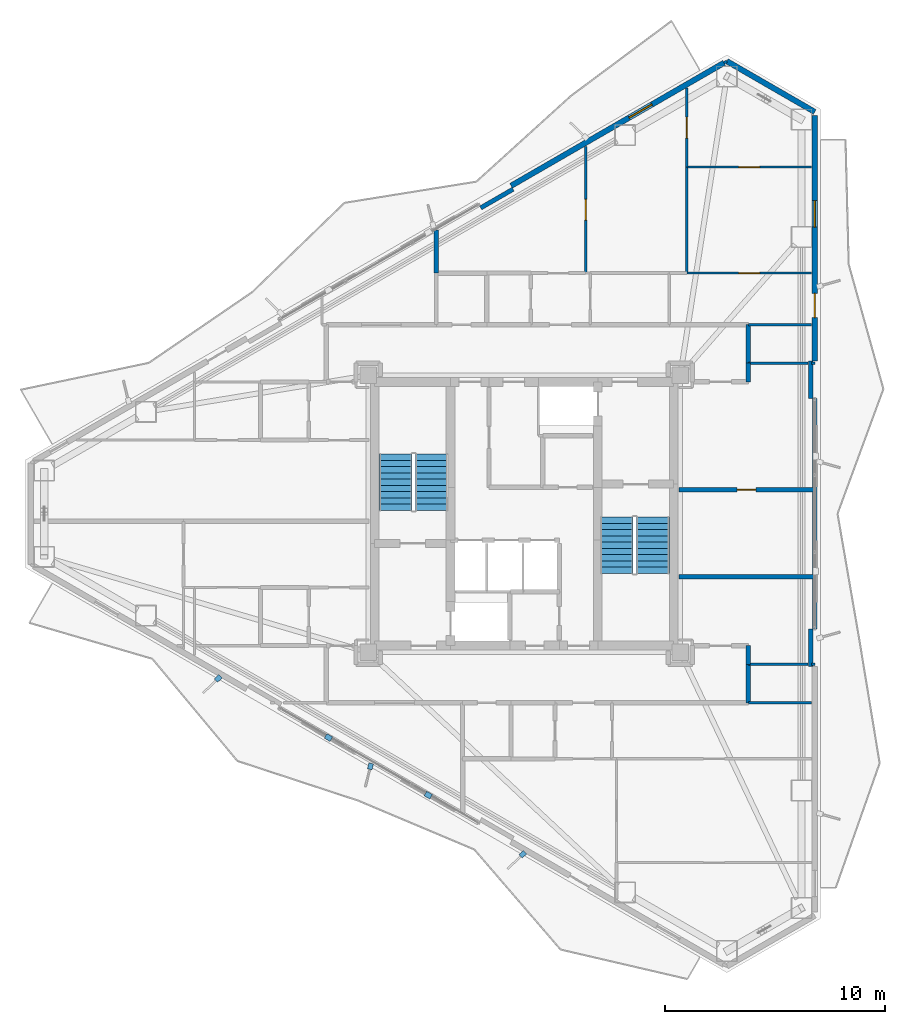
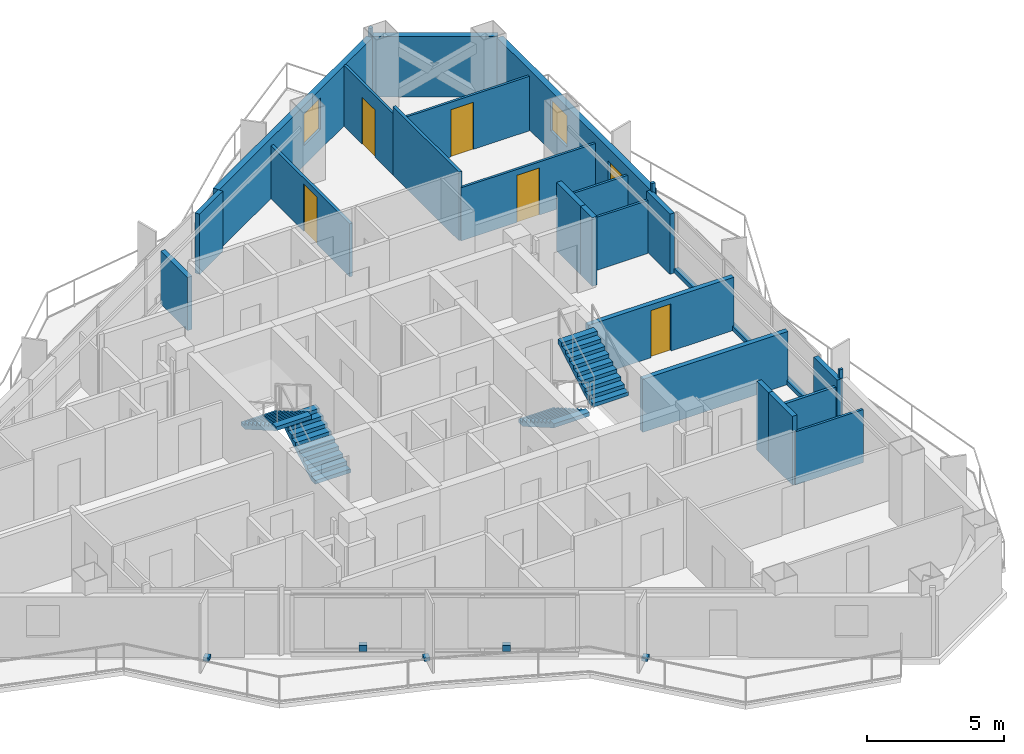
# One storey, part 16 of 19: 26 walls, 6 doors, 5 discrete accessories, 4 stair flights, 2 windows, 8 openings, 2 elements without a shape of their own.
"""IFC4 building model written with IfcOpenShell, lengths in metres."""

from ifc_helpers import new_model, si_unit, direction, frame, frame_2d, origin, origin_2d, place, context, subcontext, project, spatial, polyline, rectangle, outline, extrude, material, layer, layer_set, type_object, element, fill, aggregate, save


model = new_model("IFC4")

# Units and contexts
model_context = context("Model", 3, precision=1e-05, world=origin(), true_north=direction((0.0, 1.0)))
body_context = subcontext(model_context, "Body", "Model", "MODEL_VIEW")
ifc_project = project(units=[si_unit("LENGTHUNIT", "METRE"), si_unit("AREAUNIT", "SQUARE_METRE"), si_unit("VOLUMEUNIT", "CUBIC_METRE"), si_unit("PLANEANGLEUNIT", "RADIAN"), si_unit("MASSUNIT", "GRAM", prefix="KILO")], contexts=[model_context])

# Site, building, storey
site_placement = place(None, origin())
site = spatial("IfcSite", under=ifc_project, at=site_placement, CompositionType="ELEMENT")
building_placement = place(site_placement, origin())
building = spatial("IfcBuilding", under=site, at=building_placement, Name="Mersakhor Tower and Convention Hall", CompositionType="ELEMENT")
storey_placement = place(building_placement, frame((0.0, 0.0, 124.5)))
storey = spatial("IfcBuildingStorey", under=building, at=storey_placement, Name="L34", CompositionType="ELEMENT", Elevation=124.5)

# Wall
ifc_material_1 = material(Name="Precast concrete C40/50", Category="concrete")
ifc_layer_1 = layer(ifc_material_1, 0.25)
ifc_layer_set_1 = layer_set([ifc_layer_1], Name="Precast concrete C40/50")
wall_type_1 = type_object("IfcWallType", Name="WL-EXT-250", PredefinedType="SOLIDWALL", material=ifc_layer_set_1)
wall_1_placement = place(storey_placement, frame((38.220458984375, 47.337646484375, 0.0), z_axis=(0.0, 0.0, 1.0), x_axis=(0.866035021055, -0.499983342029, 0.0)))
element("IfcWall", 1, at=wall_1_placement, inside=storey, type_object=wall_type_1, Name="L34 Chamfer Braced Spandrel Wall C1", PredefinedType="SOLIDWALL", context=body_context, shape_type="SweptSolid", body=[
    extrude(rectangle(XDim=4.617431640625, YDim=0.25, at=frame_2d((2.30859375, 0.0))), origin(), (0.0, 0.0, 1.0), 2.679931640625),
])

# Wall, opening, window
wall_2_placement = place(storey_placement, frame((28.4033203125, 41.669677734375, 0.0), z_axis=(0.0, 0.0, 1.0), x_axis=(0.86602239209, 0.500005216371, 0.0)))
wall_2 = element("IfcWall", 2, at=wall_2_placement, inside=storey, type_object=wall_type_1, Name="L34 Exterior Facade Wall F1-B3", PredefinedType="SOLIDWALL", context=body_context, shape_type="SweptSolid", body=[
    extrude(rectangle(XDim=11.18603515625, YDim=0.25, at=frame_2d((5.593017578125, 0.0))), origin(), (0.0, 0.0, 1.0), 2.679931640625),
])
opening_1_placement = place(wall_2_placement, frame((6.198974609375, 0.0, 0.89990234375)))
opening_1 = element("IfcOpeningElement", 3, at=opening_1_placement, cuts=wall_2, Name="Opening W-01", PredefinedType="OPENING", context=body_context, shape_type="SweptSolid", body=[
    extrude(rectangle(XDim=1.199951171875, YDim=1.39990234375, at=frame_2d((0.60009765625, 0.699951171875))), frame((0.0, 0.135009765625, 0.0), z_axis=(0.0, -1.0, 0.0), x_axis=(1.0, 0.0, 0.0)), (0.0, 0.0, 1.0), 0.27001953125),
])
ifc_material_2 = material(Name="Dark solar low-E glazed aluminium window", Category="aluminium")
window_type = type_object("IfcWindowType", Name="WN-RES-120x150", PartitioningType="SINGLE_PANEL", PredefinedType="WINDOW", material=ifc_material_2)
window_1_placement = place(opening_1_placement, origin())
window_1 = element("IfcWindow", 4, at=window_1_placement, inside=storey, type_object=window_type, Name="L34 Bedroom Facade Window F1-B3-1", OverallHeight=1.39990234375, OverallWidth=1.199951171875, PartitioningType="SINGLE_PANEL", PredefinedType="WINDOW", context=body_context, shape_type="SweptSolid", body=[
    extrude(rectangle(XDim=1.199951171875, YDim=1.39990234375, at=frame_2d((0.60009765625, 0.699951171875))), frame((0.0, 0.030029296875, 0.0), z_axis=(0.0, -1.0, 0.0), x_axis=(1.0, 0.0, 0.0)), (0.0, 0.0, 1.0), 0.06005859375),
])
fill(opening_1, window_1)

# Wall, openings, door, window
wall_3_placement = place(storey_placement, frame((42.21923828125, 44.87890625, 0.0), z_axis=(0.0, 0.0, 1.0), x_axis=(0.0, -1.0, 0.0)))
wall_3 = element("IfcWall", 5, at=wall_3_placement, inside=storey, type_object=wall_type_1, Name="L34 Exterior Facade Wall F2-B1", PredefinedType="SOLIDWALL", context=body_context, shape_type="SweptSolid", body=[
    extrude(rectangle(XDim=11.185791015625, YDim=0.25, at=frame_2d((5.5927734375, 0.0))), origin(), (0.0, 0.0, 1.0), 2.679931640625),
])
opening_2_placement = place(wall_3_placement, frame((8.10888671875, 0.0, 0.0)))
opening_2 = element("IfcOpeningElement", 6, at=opening_2_placement, cuts=wall_3, Name="Opening BD-02", PredefinedType="OPENING", context=body_context, shape_type="SweptSolid", body=[
    extrude(rectangle(XDim=1.10009765625, YDim=2.10009765625, at=frame_2d((0.550048828125, 1.050048828125))), frame((0.0, 0.135009765625, 0.0), z_axis=(0.0, -1.0, 0.0), x_axis=(1.0, 0.0, 0.0)), (0.0, 0.0, 1.0), 0.27001953125),
])
opening_3_placement = place(wall_3_placement, frame((3.886962890625, 0.0, 0.89990234375)))
opening_3 = element("IfcOpeningElement", 7, at=opening_3_placement, cuts=wall_3, Name="Opening W-01", PredefinedType="OPENING", context=body_context, shape_type="SweptSolid", body=[
    extrude(rectangle(XDim=1.199951171875, YDim=1.39990234375, at=frame_2d((0.60009765625, 0.699951171875))), frame((0.0, 0.135009765625, 0.0), z_axis=(0.0, -1.0, 0.0), x_axis=(1.0, 0.0, 0.0)), (0.0, 0.0, 1.0), 0.27001953125),
])
ifc_material_3 = material(Name="Thermally broken dark aluminium and safety glass", Category="aluminium")
door_type_1 = type_object("IfcDoorType", Name="DR-BAL-110x210", OperationType="NOTDEFINED", PredefinedType="DOOR", material=ifc_material_3)
door_1_placement = place(opening_2_placement, origin())
door_1 = element("IfcDoor", 8, at=door_1_placement, inside=storey, type_object=door_type_1, Name="L34 Balcony Terrace Door F2-B1", OperationType="SINGLE_SWING_RIGHT", OverallHeight=2.10009765625, OverallWidth=1.10009765625, PredefinedType="DOOR", context=body_context, shape_type="SweptSolid", body=[
    extrude(rectangle(XDim=1.10009765625, YDim=2.10009765625, at=frame_2d((0.550048828125, 1.050048828125))), frame((0.0, 0.02490234375, 0.0), z_axis=(0.0, -1.0, 0.0), x_axis=(1.0, 0.0, 0.0)), (0.0, 0.0, 1.0), 0.050048828125),
])
fill(opening_2, door_1)
window_2_placement = place(opening_3_placement, origin())
window_2 = element("IfcWindow", 9, at=window_2_placement, inside=storey, type_object=window_type, Name="L34 Bedroom Facade Window F2-B1-1", OverallHeight=1.39990234375, OverallWidth=1.199951171875, PartitioningType="SINGLE_PANEL", PredefinedType="WINDOW", context=body_context, shape_type="SweptSolid", body=[
    extrude(rectangle(XDim=1.199951171875, YDim=1.39990234375, at=frame_2d((0.60009765625, 0.699951171875))), frame((0.0, 0.030029296875, 0.0), z_axis=(0.0, -1.0, 0.0), x_axis=(1.0, 0.0, 0.0)), (0.0, 0.0, 1.0), 0.06005859375),
])
fill(opening_3, window_2)

# Walls
ifc_material_4 = material(Name="Precast concrete C40/50", Category="concrete")
ifc_layer_2 = layer(ifc_material_4, 0.199951171875)
ifc_layer_set_2 = layer_set([ifc_layer_2], Name="Precast concrete C40/50")
wall_type_2 = type_object("IfcWallType", Name="WL-PAR-200", PredefinedType="PARAPET", material=ifc_layer_set_2)
wall_4_placement = place(storey_placement, frame((27.02099609375, 40.663818359375, 0.0), z_axis=(0.0, 0.0, 1.0), x_axis=(0.86605165483, 0.499954529098, 0.0)))
element("IfcWall", 10, at=wall_4_placement, inside=storey, type_object=wall_type_2, Name="L34 Column Pier Cladding Wall F1-C2", PredefinedType="PARAPET", context=body_context, shape_type="SweptSolid", body=[
    extrude(rectangle(XDim=1.699951171875, YDim=0.199951171875, at=frame_2d((0.85009765625, 0.0))), origin(), (0.0, 0.0, 1.0), 2.679931640625),
])
wall_5_placement = place(storey_placement, frame((42.21923828125, 31.992919921875, 0.0), z_axis=(0.0, 0.0, 1.0), x_axis=(0.0, -1.0, 0.0)))
element("IfcWall", 11, at=wall_5_placement, inside=storey, type_object=wall_type_2, Name="L34 Curtain Wall Upstand Sill F2-B2", PredefinedType="PARAPET", context=body_context, shape_type="SweptSolid", body=[
    extrude(rectangle(XDim=10.48583984375, YDim=0.199951171875, at=frame_2d((5.242919921875, 0.0))), origin(), (0.0, 0.0, 1.0), 0.199951171875),
])
for number, where, z_axis, x_axis, name in (
    (12, (42.039306640625, 33.693115234375, 0.0), (0.0, 0.0, 1.0), (0.0, -1.0, 0.0), "L34 Column Pier Cladding Wall F2-C1"),
    (13, (42.039306640625, 21.507080078125, 0.0), (0.0, 0.0, 1.0), (0.0, -1.0, 0.0), "L34 Column Pier Cladding Wall F2-C2"),
):
    element("IfcWall", number, at=place(storey_placement, frame(where, z_axis=z_axis, x_axis=x_axis)), inside=storey, type_object=wall_type_2, Name=name, PredefinedType="PARAPET", context=body_context, shape_type="SweptSolid", body=[
        extrude(rectangle(XDim=1.7001953125, YDim=0.199951171875, at=frame_2d((0.85009765625, 0.0))), origin(), (0.0, 0.0, 1.0), 2.679931640625),
    ])
ifc_material_5 = material(Name="Lightweight gypsum partition", Category="other")
ifc_layer_3 = layer(ifc_material_5, 0.10009765625)
ifc_layer_set_3 = layer_set([ifc_layer_3], Name="Lightweight gypsum partition")
wall_type_3 = type_object("IfcWallType", Name="WL-PRT-100", PredefinedType="PARTITIONING", material=ifc_layer_set_3)
wall_6_placement = place(storey_placement, frame((39.199951171875, 18.14990234375, 0.0), z_axis=(0.0, 0.0, 1.0), x_axis=(1.0, 0.0, 0.0)))
element("IfcWall", 14, at=wall_6_placement, inside=storey, type_object=wall_type_3, Name="L34 Interior Partition Wall P-076", PredefinedType="PARTITIONING", context=body_context, shape_type="SweptSolid", body=[
    extrude(rectangle(XDim=2.870361328125, YDim=0.10009765625, at=frame_2d((1.43505859375, 0.0))), origin(), (0.0, 0.0, 1.0), 2.364990234375),
])
wall_7_placement = place(storey_placement, frame((39.199951171875, 33.60009765625, 0.0), z_axis=(0.0, 0.0, 1.0), x_axis=(1.0, 0.0, 0.0)))
element("IfcWall", 15, at=wall_7_placement, inside=storey, type_object=wall_type_3, Name="L34 Interior Partition Wall P-100", PredefinedType="PARTITIONING", context=body_context, shape_type="SweptSolid", body=[
    extrude(rectangle(XDim=2.71533203125, YDim=0.10009765625, at=frame_2d((1.357666015625, 0.0))), origin(), (0.0, 0.0, 1.0), 2.364990234375),
])
wall_8_placement = place(storey_placement, frame((42.218994140625, 19.89990234375, 0.0), z_axis=(0.0, 0.0, 1.0), x_axis=(-1.0, 0.0, 0.0)))
element("IfcWall", 16, at=wall_8_placement, inside=storey, type_object=wall_type_3, Name="L34 Interior Partition Wall P-106", PredefinedType="PARTITIONING", context=body_context, shape_type="SweptSolid", body=[
    extrude(rectangle(XDim=0.144775390625, YDim=0.10009765625, at=frame_2d((0.072265625, 0.0))), origin(), (0.0, 0.0, 1.0), 3.06005859375),
])
wall_9_placement = place(storey_placement, frame((42.0703125, 35.35009765625, 0.0), z_axis=(0.0, 0.0, 1.0), x_axis=(-1.0, 0.0, 0.0)))
element("IfcWall", 17, at=wall_9_placement, inside=storey, type_object=wall_type_3, Name="L34 Interior Partition Wall P-108", PredefinedType="PARTITIONING", context=body_context, shape_type="SweptSolid", body=[
    extrude(rectangle(XDim=2.870361328125, YDim=0.10009765625, at=frame_2d((1.43505859375, 0.0))), origin(), (0.0, 0.0, 1.0), 2.364990234375),
])

# Wall, opening, door
wall_10_placement = place(storey_placement, frame((36.39990234375, 37.699951171875, 0.0), z_axis=(0.0, 0.0, 1.0), x_axis=(1.0, 0.0, 0.0)))
wall_10 = element("IfcWall", 18, at=wall_10_placement, inside=storey, type_object=wall_type_3, Name="L34 Interior Partition Wall P-110", PredefinedType="PARTITIONING", context=body_context, shape_type="SweptSolid", body=[
    extrude(rectangle(XDim=5.67041015625, YDim=0.10009765625, at=frame_2d((2.835205078125, 0.0))), origin(), (0.0, 0.0, 1.0), 2.364990234375),
])
opening_4_placement = place(wall_10_placement, frame((2.360107421875, 0.0, 0.0)))
opening_4 = element("IfcOpeningElement", 19, at=opening_4_placement, cuts=wall_10, Name="Opening RD-01", PredefinedType="OPENING", context=body_context, shape_type="SweptSolid", body=[
    extrude(rectangle(XDim=0.949951171875, YDim=2.10009765625, at=frame_2d((0.47509765625, 1.050048828125))), frame((0.0, 0.06005859375, 0.0), z_axis=(0.0, -1.0, 0.0), x_axis=(1.0, 0.0, 0.0)), (0.0, 0.0, 1.0), 0.1201171875),
])
ifc_material_6 = material(Name="Solid-core hardwood leaf in painted steel frame", Category="steel")
door_type_2 = type_object("IfcDoorType", Name="DR-INT-RM-095x210", OperationType="NOTDEFINED", PredefinedType="DOOR", material=ifc_material_6)
door_2_placement = place(opening_4_placement, origin())
door_2 = element("IfcDoor", 20, at=door_2_placement, inside=storey, type_object=door_type_2, Name="L34 L34 Flat N1 Study Room to L34 Flat N1 Bedroom 2 Door", OperationType="SINGLE_SWING_LEFT", OverallHeight=2.10009765625, OverallWidth=0.949951171875, PredefinedType="DOOR", context=body_context, shape_type="SweptSolid", body=[
    extrude(rectangle(XDim=0.949951171875, YDim=2.10009765625, at=frame_2d((0.47509765625, 1.050048828125))), frame((0.0, 0.02490234375, 0.0), z_axis=(0.0, -1.0, 0.0), x_axis=(1.0, 0.0, 0.0)), (0.0, 0.0, 1.0), 0.050048828125),
])
fill(opening_4, door_2)

wall_11_placement = place(storey_placement, frame((36.39990234375, 46.114501953125, 0.0), z_axis=(0.0, 0.0, 1.0), x_axis=(0.0, -1.0, 0.0)))
wall_11 = element("IfcWall", 21, at=wall_11_placement, inside=storey, type_object=wall_type_3, Name="L34 Interior Partition Wall P-112", PredefinedType="PARTITIONING", context=body_context, shape_type="SweptSolid", body=[
    extrude(rectangle(XDim=3.594482421875, YDim=0.10009765625, at=frame_2d((1.79736328125, 0.0))), origin(), (0.0, 0.0, 1.0), 2.724609375),
])
opening_5_placement = place(wall_11_placement, frame((1.322265625, 0.0, 0.0)))
opening_5 = element("IfcOpeningElement", 22, at=opening_5_placement, cuts=wall_11, Name="Opening RD-01", PredefinedType="OPENING", context=body_context, shape_type="SweptSolid", body=[
    extrude(rectangle(XDim=0.949951171875, YDim=2.10009765625, at=frame_2d((0.47509765625, 1.050048828125))), frame((0.0, 0.06005859375, 0.0), z_axis=(0.0, -1.0, 0.0), x_axis=(1.0, 0.0, 0.0)), (0.0, 0.0, 1.0), 0.1201171875),
])
door_3_placement = place(opening_5_placement, origin())
door_3 = element("IfcDoor", 23, at=door_3_placement, inside=storey, type_object=door_type_2, Name="L34 L34 Flat N1 Bedroom 1 to L34 Flat N1 Study Room Door", OperationType="SINGLE_SWING_LEFT", OverallHeight=2.10009765625, OverallWidth=0.949951171875, PredefinedType="DOOR", context=body_context, shape_type="SweptSolid", body=[
    extrude(rectangle(XDim=0.949951171875, YDim=2.10009765625, at=frame_2d((0.47509765625, 1.050048828125))), frame((0.0, 0.02490234375, 0.0), z_axis=(0.0, -1.0, 0.0), x_axis=(1.0, 0.0, 0.0)), (0.0, 0.0, 1.0), 0.050048828125),
])
fill(opening_5, door_3)

wall_12_placement = place(storey_placement, frame((36.39990234375, 42.52001953125, 0.0), z_axis=(0.0, 0.0, 1.0), x_axis=(1.0, 0.0, 0.0)))
wall_12 = element("IfcWall", 24, at=wall_12_placement, inside=storey, type_object=wall_type_3, Name="L34 Interior Partition Wall P-114", PredefinedType="PARTITIONING", context=body_context, shape_type="SweptSolid", body=[
    extrude(rectangle(XDim=5.67041015625, YDim=0.10009765625, at=frame_2d((2.835205078125, 0.0))), origin(), (0.0, 0.0, 1.0), 2.432861328125),
])
opening_6_placement = place(wall_12_placement, frame((2.360107421875, 0.0, 0.0)))
opening_6 = element("IfcOpeningElement", 25, at=opening_6_placement, cuts=wall_12, Name="Opening RD-01", PredefinedType="OPENING", context=body_context, shape_type="SweptSolid", body=[
    extrude(rectangle(XDim=0.949951171875, YDim=2.10009765625, at=frame_2d((0.47509765625, 1.050048828125))), frame((0.0, 0.06005859375, 0.0), z_axis=(0.0, -1.0, 0.0), x_axis=(1.0, 0.0, 0.0)), (0.0, 0.0, 1.0), 0.1201171875),
])
door_4_placement = place(opening_6_placement, origin())
door_4 = element("IfcDoor", 26, at=door_4_placement, inside=storey, type_object=door_type_2, Name="L34 L34 Flat N1 Bedroom 2 to L34 Flat N1 Study Room Door", OperationType="SINGLE_SWING_RIGHT", OverallHeight=2.10009765625, OverallWidth=0.949951171875, PredefinedType="DOOR", context=body_context, shape_type="SweptSolid", body=[
    extrude(rectangle(XDim=0.949951171875, YDim=2.10009765625, at=frame_2d((0.47509765625, 1.050048828125))), frame((0.0, 0.02490234375, 0.0), z_axis=(0.0, -1.0, 0.0), x_axis=(1.0, 0.0, 0.0)), (0.0, 0.0, 1.0), 0.050048828125),
])
fill(opening_6, door_4)

# Walls
ifc_material_7 = material(Name="Gypsum board acoustic partition", Category="other")
ifc_layer_4 = layer(ifc_material_7, 0.125)
ifc_layer_set_4 = layer_set([ifc_layer_4], Name="Gypsum board acoustic partition")
wall_type_4 = type_object("IfcWallType", Name="WL-PRT-125", PredefinedType="PARTITIONING", material=ifc_layer_set_4)
wall_13_placement = place(storey_placement, frame((42.07421875, 33.60009765625, 0.0), z_axis=(0.0, 0.0, 1.0), x_axis=(1.0, 0.0, 0.0)))
element("IfcWall", 27, at=wall_13_placement, inside=storey, type_object=wall_type_4, Name="L34 Interior Partition Wall P-101", PredefinedType="PARTITIONING", context=body_context, shape_type="SweptSolid", body=[
    extrude(rectangle(XDim=0.144775390625, YDim=0.125, at=frame_2d((0.072265625, 0.0))), origin(), (0.0, 0.0, 1.0), 3.06005859375),
])
wall_14_placement = place(storey_placement, frame((41.915283203125, 19.89990234375, 0.0), z_axis=(0.0, 0.0, 1.0), x_axis=(-1.0, 0.0, 0.0)))
element("IfcWall", 28, at=wall_14_placement, inside=storey, type_object=wall_type_4, Name="L34 Interior Partition Wall P-107", PredefinedType="PARTITIONING", context=body_context, shape_type="SweptSolid", body=[
    extrude(rectangle(XDim=2.71533203125, YDim=0.125, at=frame_2d((1.357666015625, 0.0))), origin(), (0.0, 0.0, 1.0), 2.364990234375),
])

# Wall, opening, door
wall_15_placement = place(storey_placement, frame((31.800048828125, 43.458740234375, 0.0), z_axis=(0.0, 0.0, 1.0), x_axis=(0.0, -1.0, 0.0)))
wall_15 = element("IfcWall", 29, at=wall_15_placement, inside=storey, type_object=wall_type_4, Name="L34 Interior Partition Wall P-111", PredefinedType="PARTITIONING", context=body_context, shape_type="SweptSolid", body=[
    extrude(rectangle(XDim=5.7587890625, YDim=0.125, at=frame_2d((2.87939453125, 0.0))), origin(), (0.0, 0.0, 1.0), 2.364990234375),
])
opening_7_placement = place(wall_15_placement, frame((2.404296875, 0.0, 0.0)))
opening_7 = element("IfcOpeningElement", 30, at=opening_7_placement, cuts=wall_15, Name="Opening RD-01", PredefinedType="OPENING", context=body_context, shape_type="SweptSolid", body=[
    extrude(rectangle(XDim=0.949951171875, YDim=2.10009765625, at=frame_2d((0.47509765625, 1.050048828125))), frame((0.0, 0.072509765625, 0.0), z_axis=(0.0, -1.0, 0.0), x_axis=(1.0, 0.0, 0.0)), (0.0, 0.0, 1.0), 0.14501953125),
])
door_5_placement = place(opening_7_placement, origin())
door_5 = element("IfcDoor", 31, at=door_5_placement, inside=storey, type_object=door_type_2, Name="L34 L34 Flat N1 Living and Dining Room to L34 Flat N1 Bedroom 1 Door", OperationType="SINGLE_SWING_RIGHT", OverallHeight=2.10009765625, OverallWidth=0.949951171875, PredefinedType="DOOR", context=body_context, shape_type="SweptSolid", body=[
    extrude(rectangle(XDim=0.949951171875, YDim=2.10009765625, at=frame_2d((0.47509765625, 1.050048828125))), frame((0.0, 0.02490234375, 0.0), z_axis=(0.0, -1.0, 0.0), x_axis=(1.0, 0.0, 0.0)), (0.0, 0.0, 1.0), 0.050048828125),
])
fill(opening_7, door_5)

# Walls
wall_16_placement = place(storey_placement, frame((36.39990234375, 42.52001953125, 0.0), z_axis=(0.0, 0.0, 1.0), x_axis=(0.0, -1.0, 0.0)))
element("IfcWall", 32, at=wall_16_placement, inside=storey, type_object=wall_type_4, Name="L34 Interior Partition Wall P-113", PredefinedType="PARTITIONING", context=body_context, shape_type="SweptSolid", body=[
    extrude(rectangle(XDim=4.820068359375, YDim=0.125, at=frame_2d((2.41015625, 0.0))), origin(), (0.0, 0.0, 1.0), 3.06005859375),
])
wall_17_placement = place(storey_placement, frame((38.090576171875, 47.2626953125, 0.0), z_axis=(0.0, 0.0, 1.0), x_axis=(0.865833797362, 0.500331725305, 0.0)))
element("IfcWall", 33, at=wall_17_placement, inside=storey, type_object=wall_type_4, Name="L34 Interior Partition Wall P-115", PredefinedType="PARTITIONING", context=body_context, shape_type="SweptSolid", body=[
    extrude(rectangle(XDim=0.150390625, YDim=0.125, at=frame_2d((0.0751953125, 0.0))), origin(), (0.0, 0.0, 1.0), 3.06005859375),
])
ifc_material_8 = material(Name="Acoustic concrete blockwork and gypsum board", Category="masonry")
ifc_layer_5 = layer(ifc_material_8, 0.199951171875)
ifc_layer_set_5 = layer_set([ifc_layer_5], Name="Acoustic concrete blockwork and gypsum board")
wall_type_5 = type_object("IfcWallType", Name="WL-PRT-200", PredefinedType="PARTITIONING", material=ifc_layer_set_5)
wall_18_placement = place(storey_placement, frame((39.199951171875, 35.35009765625, 0.0), z_axis=(0.0, 0.0, 1.0), x_axis=(0.0, -1.0, 0.0)))
element("IfcWall", 34, at=wall_18_placement, inside=storey, type_object=wall_type_5, Name="L34 Interior Partition Wall P-028", PredefinedType="PARTITIONING", context=body_context, shape_type="SweptSolid", body=[
    extrude(rectangle(XDim=1.75, YDim=0.199951171875, at=frame_2d((0.875, 0.0))), origin(), (0.0, 0.0, 1.0), 3.06005859375),
])
for number, where, z_axis, x_axis, name in (
    (35, (39.199951171875, 33.60009765625, 0.0), (0.0, 0.0, 1.0), (0.0, -1.0, 0.0), "L34 Interior Partition Wall P-029"),
    (36, (39.199951171875, 20.75, 0.0), (0.0, 0.0, 1.0), (0.0, -1.0, 0.0), "L34 Interior Partition Wall P-038"),
):
    element("IfcWall", number, at=place(storey_placement, frame(where, z_axis=z_axis, x_axis=x_axis)), inside=storey, type_object=wall_type_5, Name=name, PredefinedType="PARTITIONING", context=body_context, shape_type="SweptSolid", body=[
        extrude(rectangle(XDim=0.85009765625, YDim=0.199951171875, at=frame_2d((0.425048828125, 0.0))), origin(), (0.0, 0.0, 1.0), 3.06005859375),
    ])
wall_19_placement = place(storey_placement, frame((39.199951171875, 19.89990234375, 0.0), z_axis=(0.0, 0.0, 1.0), x_axis=(0.0, -1.0, 0.0)))
element("IfcWall", 37, at=wall_19_placement, inside=storey, type_object=wall_type_5, Name="L34 Interior Partition Wall P-039", PredefinedType="PARTITIONING", context=body_context, shape_type="SweptSolid", body=[
    extrude(rectangle(XDim=1.75, YDim=0.199951171875, at=frame_2d((0.875, 0.0))), origin(), (0.0, 0.0, 1.0), 3.06005859375),
])
wall_20_placement = place(storey_placement, frame((25.0, 39.660888671875, 0.0), z_axis=(0.0, 0.0, 1.0), x_axis=(0.0, -1.0, 0.0)))
element("IfcWall", 38, at=wall_20_placement, inside=storey, type_object=wall_type_5, Name="L34 Interior Partition Wall P-092", PredefinedType="PARTITIONING", context=body_context, shape_type="SweptSolid", body=[
    extrude(rectangle(XDim=1.9609375, YDim=0.199951171875, at=frame_2d((0.98046875, 0.0))), origin(), (0.0, 0.0, 1.0), 2.364990234375),
])

# Wall, opening, door
wall_21_placement = place(storey_placement, frame((42.18115234375, 27.85009765625, 0.0), z_axis=(0.0, 0.0, 1.0), x_axis=(-1.0, 0.0, 0.0)))
wall_21 = element("IfcWall", 39, at=wall_21_placement, inside=storey, type_object=wall_type_5, Name="L34 Interior Partition Wall P-102", PredefinedType="PARTITIONING", context=body_context, shape_type="SweptSolid", body=[
    extrude(rectangle(XDim=6.131103515625, YDim=0.199951171875, at=frame_2d((3.0654296875, 0.0))), origin(), (0.0, 0.0, 1.0), 2.364990234375),
])
opening_8_placement = place(wall_21_placement, frame((2.640625, 0.0, 0.0)))
opening_8 = element("IfcOpeningElement", 40, at=opening_8_placement, cuts=wall_21, Name="Opening SVD-01", PredefinedType="OPENING", context=body_context, shape_type="SweptSolid", body=[
    extrude(rectangle(XDim=0.85009765625, YDim=2.10009765625, at=frame_2d((0.425048828125, 1.050048828125))), frame((0.0, 0.10986328125, 0.0), z_axis=(0.0, -1.0, 0.0), x_axis=(1.0, 0.0, 0.0)), (0.0, 0.0, 1.0), 0.219970703125),
])
ifc_material_9 = material(Name="Fire-rated hardwood leaf and painted steel frame", Category="steel")
door_type_3 = type_object("IfcDoorType", Name="DR-INT-SVC-085x210", OperationType="NOTDEFINED", PredefinedType="DOOR", material=ifc_material_9)
door_6_placement = place(opening_8_placement, origin())
door_6 = element("IfcDoor", 41, at=door_6_placement, inside=storey, type_object=door_type_3, Name="L34 L34 East Wing Quiet Focus Room to L34 East Wing Linen Store Room Door", OperationType="SINGLE_SWING_RIGHT", OverallHeight=2.10009765625, OverallWidth=0.85009765625, PredefinedType="DOOR", context=body_context, shape_type="SweptSolid", body=[
    extrude(rectangle(XDim=0.85009765625, YDim=2.10009765625, at=frame_2d((0.425048828125, 1.050048828125))), frame((0.0, 0.02490234375, 0.0), z_axis=(0.0, -1.0, 0.0), x_axis=(1.0, 0.0, 0.0)), (0.0, 0.0, 1.0), 0.050048828125),
])
fill(opening_8, door_6)

# Wall
wall_22_placement = place(storey_placement, frame((36.050048828125, 23.8798828125, 0.0), z_axis=(0.0, 0.0, 1.0), x_axis=(1.0, 0.0, 0.0)))
element("IfcWall", 42, at=wall_22_placement, inside=storey, type_object=wall_type_5, Name="L34 Interior Partition Wall P-105", PredefinedType="PARTITIONING", context=body_context, shape_type="SweptSolid", body=[
    extrude(rectangle(XDim=6.131103515625, YDim=0.199951171875, at=frame_2d((3.0654296875, 0.0))), origin(), (0.0, 0.0, 1.0), 2.364990234375),
])

# Stair, stair flights
ifc_material_10 = material(Name="Concrete C45/55", Category="concrete")
stair_type = type_object("IfcStairType", Name="ST-TWR-20R", PredefinedType="HALF_TURN_STAIR", material=ifc_material_10)
stair_1_placement = place(storey_placement, origin())
stair_1 = element("IfcStair", 43, at=stair_1_placement, inside=storey, type_object=stair_type, Name="L34 Tower Protected Exit Stair ST-1", PredefinedType="HALF_TURN_STAIR")
ifc_material_11 = material(Name="Concrete C45/55", Category="concrete")
stair_flight_type = type_object("IfcStairFlightType", Name="SFL-TWR-20R", PredefinedType="STRAIGHT", material=ifc_material_11)
stair_flight_1_placement = place(storey_placement, frame((24.800048828125, 26.89990234375, 0.0), z_axis=(0.0, 0.0, 1.0), x_axis=(0.0, 1.0, 0.0)))
stair_flight_1 = element("IfcStairFlight", 44, at=stair_flight_1_placement, type_object=stair_flight_type, Name="ST-1 flight 1", NumberOfRisers=10, NumberOfTreads=9, PredefinedType="STRAIGHT", RiserHeight=0.165, TreadLength=0.285, context=body_context, shape_type="SweptSolid", body=[
    extrude(outline(polyline([(0.0, 0.0), (0.0, 0.1650390625), (0.284912109375, 0.1650390625), (0.284912109375, 0.330078125), (0.570068359375, 0.330078125), (0.570068359375, 0.4951171875), (0.85498046875, 0.4951171875), (0.85498046875, 0.659912109375), (1.139892578125, 0.659912109375), (1.139892578125, 0.824951171875), (1.425048828125, 0.824951171875), (1.425048828125, 0.989990234375), (1.7099609375, 0.989990234375), (1.7099609375, 1.155029296875), (1.9951171875, 1.155029296875), (1.9951171875, 1.320068359375), (2.280029296875, 1.320068359375), (2.280029296875, 1.485107421875), (2.56494140625, 1.485107421875), (2.56494140625, 1.64990234375), (2.56494140625, 1.311767578125), (0.299072265625, 0.0), (0.0, 0.0)])), frame((0.0, 0.75, 0.0), z_axis=(0.0, -1.0, 0.0), x_axis=(1.0, 0.0, 0.0)), (0.0, 0.0, 1.0), 1.5),
])
stair_flight_2_placement = place(storey_placement, frame((23.14990234375, 29.465087890625, 1.64990234375), z_axis=(0.0, 0.0, 1.0), x_axis=(0.0, -1.0, 0.0)))
stair_flight_2 = element("IfcStairFlight", 45, at=stair_flight_2_placement, type_object=stair_flight_type, Name="ST-1 flight 2", NumberOfRisers=10, NumberOfTreads=9, PredefinedType="STRAIGHT", RiserHeight=0.165, TreadLength=0.285, context=body_context, shape_type="SweptSolid", body=[
    extrude(outline(polyline([(0.0, 0.0), (0.0, 0.1650390625), (0.284912109375, 0.1650390625), (0.284912109375, 0.330078125), (0.570068359375, 0.330078125), (0.570068359375, 0.4951171875), (0.85498046875, 0.4951171875), (0.85498046875, 0.659912109375), (1.139892578125, 0.659912109375), (1.139892578125, 0.824951171875), (1.425048828125, 0.824951171875), (1.425048828125, 0.989990234375), (1.7099609375, 0.989990234375), (1.7099609375, 1.155029296875), (1.9951171875, 1.155029296875), (1.9951171875, 1.320068359375), (2.280029296875, 1.320068359375), (2.280029296875, 1.485107421875), (2.56494140625, 1.485107421875), (2.56494140625, 1.64990234375), (2.56494140625, 1.311767578125), (0.299072265625, 0.0), (0.0, 0.0)])), frame((0.0, 0.75, 0.0), z_axis=(0.0, -1.0, 0.0), x_axis=(1.0, 0.0, 0.0)), (0.0, 0.0, 1.0), 1.5),
])
aggregate(stair_1, [stair_flight_1, stair_flight_2])

stair_2_placement = place(storey_placement, origin())
stair_2 = element("IfcStair", 46, at=stair_2_placement, inside=storey, type_object=stair_type, Name="L34 Tower Protected Exit Stair ST-2", PredefinedType="HALF_TURN_STAIR")
stair_flight_3_placement = place(storey_placement, frame((33.199951171875, 26.60009765625, 0.0), z_axis=(0.0, 0.0, 1.0), x_axis=(0.0, -1.0, 0.0)))
stair_flight_3 = element("IfcStairFlight", 47, at=stair_flight_3_placement, type_object=stair_flight_type, Name="ST-2 flight 1", NumberOfRisers=10, NumberOfTreads=9, PredefinedType="STRAIGHT", RiserHeight=0.165, TreadLength=0.285, context=body_context, shape_type="SweptSolid", body=[
    extrude(outline(polyline([(0.0, 0.0), (0.0, 0.1650390625), (0.284912109375, 0.1650390625), (0.284912109375, 0.330078125), (0.570068359375, 0.330078125), (0.570068359375, 0.4951171875), (0.85498046875, 0.4951171875), (0.85498046875, 0.659912109375), (1.139892578125, 0.659912109375), (1.139892578125, 0.824951171875), (1.425048828125, 0.824951171875), (1.425048828125, 0.989990234375), (1.7099609375, 0.989990234375), (1.7099609375, 1.155029296875), (1.9951171875, 1.155029296875), (1.9951171875, 1.320068359375), (2.280029296875, 1.320068359375), (2.280029296875, 1.485107421875), (2.56494140625, 1.485107421875), (2.56494140625, 1.64990234375), (2.56494140625, 1.311767578125), (0.299072265625, 0.0), (0.0, 0.0)])), frame((0.0, 0.75, 0.0), z_axis=(0.0, -1.0, 0.0), x_axis=(1.0, 0.0, 0.0)), (0.0, 0.0, 1.0), 1.5),
])
stair_flight_4_placement = place(storey_placement, frame((34.85009765625, 24.034912109375, 1.64990234375), z_axis=(0.0, 0.0, 1.0), x_axis=(0.0, 1.0, 0.0)))
stair_flight_4 = element("IfcStairFlight", 48, at=stair_flight_4_placement, type_object=stair_flight_type, Name="ST-2 flight 2", NumberOfRisers=10, NumberOfTreads=9, PredefinedType="STRAIGHT", RiserHeight=0.165, TreadLength=0.285, context=body_context, shape_type="SweptSolid", body=[
    extrude(outline(polyline([(0.0, 0.0), (0.0, 0.1650390625), (0.284912109375, 0.1650390625), (0.284912109375, 0.330078125), (0.570068359375, 0.330078125), (0.570068359375, 0.4951171875), (0.85498046875, 0.4951171875), (0.85498046875, 0.659912109375), (1.139892578125, 0.659912109375), (1.139892578125, 0.824951171875), (1.425048828125, 0.824951171875), (1.425048828125, 0.989990234375), (1.7099609375, 0.989990234375), (1.7099609375, 1.155029296875), (1.9951171875, 1.155029296875), (1.9951171875, 1.320068359375), (2.280029296875, 1.320068359375), (2.280029296875, 1.485107421875), (2.56494140625, 1.485107421875), (2.56494140625, 1.64990234375), (2.56494140625, 1.311767578125), (0.299072265625, 0.0), (0.0, 0.0)])), frame((0.0, 0.75, 0.0), z_axis=(0.0, -1.0, 0.0), x_axis=(1.0, 0.0, 0.0)), (0.0, 0.0, 1.0), 1.5),
])
aggregate(stair_2, [stair_flight_3, stair_flight_4])

# Discrete accessories
ifc_material_12 = material(Name="Galvanised steel bracket", Category="steel")
ifc_layer_6 = layer(ifc_material_12, 0.02001953125)
ifc_layer_set_6 = layer_set([ifc_layer_6], Name="Galvanised steel bracket")
discrete_accessory_type = type_object("IfcDiscreteAccessoryType", Name="ACC-BRK-STL", PredefinedType="BRACKET", material=ifc_layer_set_6)
for number, where, z_axis, x_axis, name in (
    (49, (24.6357421875, 13.94775390625, 0.2900390625), (0.0, 0.0, 1.0), (-0.866025403784, 0.5, 0.0), "L34 Solar Screen Outrigger Bracket BRK-3-1"),
    (50, (20.09521484375, 16.5693359375, 0.2900390625), (0.0, 0.0, 1.0), (-0.866025403784, 0.5, 0.0), "L34 Solar Screen Outrigger Bracket BRK-3-2"),
):
    element("IfcDiscreteAccessory", number, at=place(storey_placement, frame(where, z_axis=z_axis, x_axis=x_axis)), inside=storey, type_object=discrete_accessory_type, Name=name, PredefinedType="BRACKET", context=body_context, shape_type="SweptSolid", body=[
        extrude(rectangle(XDim=0.300048828125, YDim=0.239990234375, at=origin_2d()), origin(), (0.0, 0.0, 1.0), 0.260009765625),
    ])
for number, where, z_axis, x_axis, name in (
    (51, (28.935302734375, 11.2578125, -0.02001953125), (0.0, 0.0, 1.0), (-0.719339800339, -0.694658370459, 0.0), "L34 Facade Fin Base Cleat Bracket FBRK-3-1"),
    (52, (22.0068359375, 15.2578125, -0.02001953125), (0.0, 0.0, 1.0), (-0.2419218956, -0.970295726276, 0.0), "L34 Facade Fin Base Cleat Bracket FBRK-3-2"),
    (53, (15.07861328125, 19.2578125, -0.02001953125), (0.0, 0.0, 1.0), (-0.719339800339, -0.694658370459, 0.0), "L34 Facade Fin Base Cleat Bracket FBRK-3-3"),
):
    element("IfcDiscreteAccessory", number, at=place(storey_placement, frame(where, z_axis=z_axis, x_axis=x_axis)), inside=storey, type_object=discrete_accessory_type, Name=name, PredefinedType="BRACKET", context=body_context, shape_type="SweptSolid", body=[
        extrude(rectangle(XDim=0.280029296875, YDim=0.219970703125, at=origin_2d()), origin(), (0.0, 0.0, 1.0), 0.159912109375),
    ])

save(model, "model.ifc")
